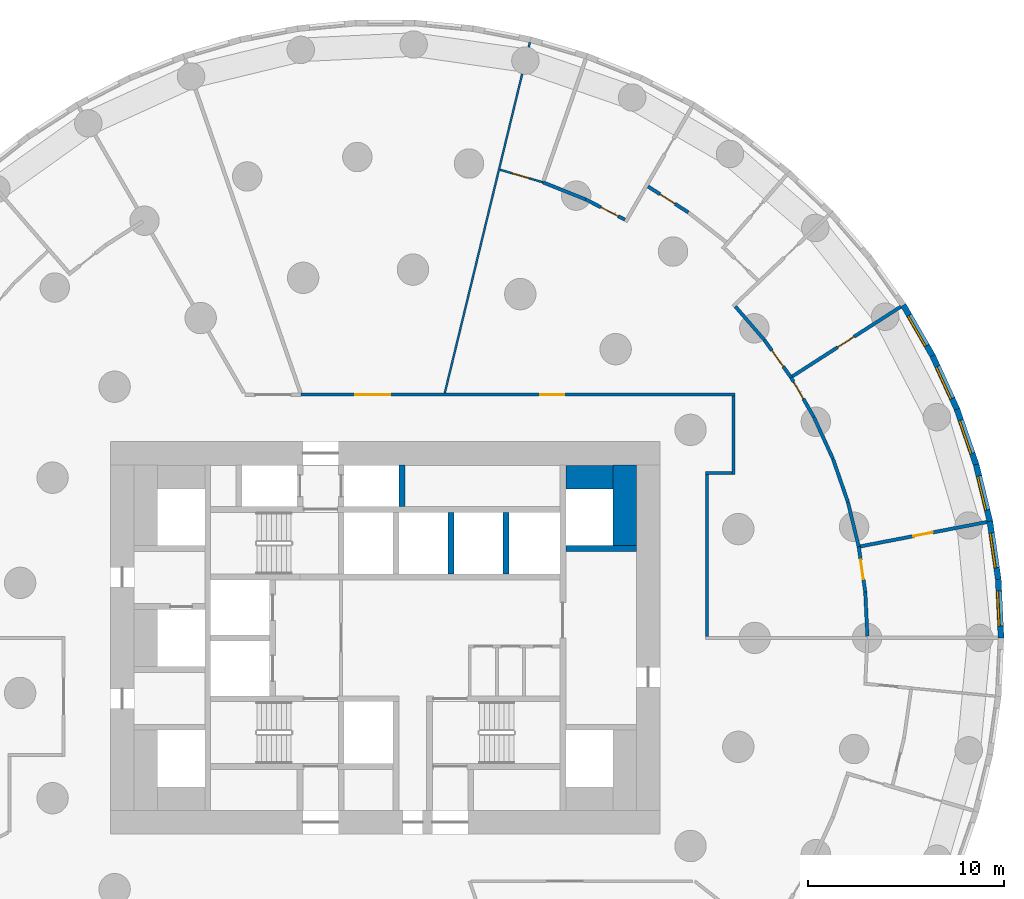
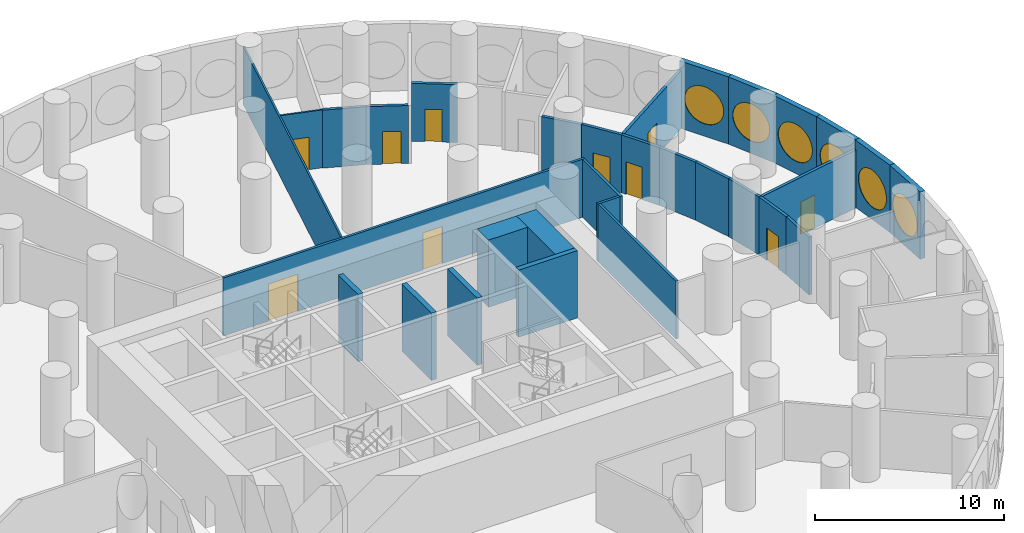
# One storey, part 8 of 12: 31 walls, 10 doors, 6 windows, 16 openings.
"""IFC4 building model written with IfcOpenShell, lengths in metres."""

from ifc_helpers import new_model, si_unit, direction, frame, frame_2d, origin, origin_2d, place, context, subcontext, project, spatial, rectangle, circle, extrude, material, layer, layer_set, type_object, element, fill, save


model = new_model("IFC4")

# Units and contexts
model_context = context("Model", 3, precision=1e-05, world=origin(), true_north=direction((0.0, 1.0)))
body_context = subcontext(model_context, "Body", "Model", "MODEL_VIEW")
ifc_project = project(units=[si_unit("LENGTHUNIT", "METRE"), si_unit("AREAUNIT", "SQUARE_METRE"), si_unit("VOLUMEUNIT", "CUBIC_METRE"), si_unit("PLANEANGLEUNIT", "RADIAN"), si_unit("MASSUNIT", "GRAM", prefix="KILO")], contexts=[model_context])

# Site, building, storey
site_placement = place(None, origin())
site = spatial("IfcSite", under=ifc_project, at=site_placement, CompositionType="ELEMENT")
building_placement = place(site_placement, origin())
building = spatial("IfcBuilding", under=site, at=building_placement, Name="Tracery Tower", CompositionType="ELEMENT")
storey_placement = place(building_placement, frame((0.0, 0.0, 13.800048828125)))
storey = spatial("IfcBuildingStorey", under=building, at=storey_placement, Name="L02", CompositionType="ELEMENT", Elevation=13.800048828125)

# Wall
ifc_material_1 = material(Name="Plasterboard on steel studs", Category="steel")
ifc_layer_1 = layer(ifc_material_1, 0.175048828125)
ifc_layer_set_1 = layer_set([ifc_layer_1], Name="Compartment partition 175")
wall_type_1 = type_object("IfcWallType", Name="Compartment partition 175", PredefinedType="PARTITIONING", material=ifc_layer_set_1)
wall_1_placement = place(storey_placement, frame((10.205322265625, 22.3466796875, 0.0), z_axis=(0.0, 0.0, 1.0), x_axis=(-0.92836862221, 0.371660734133, 0.0)))
element("IfcWall", 1, at=wall_1_placement, inside=storey, type_object=wall_type_1, Name="Compartment partition 175", PredefinedType="PARTITIONING", context=body_context, shape_type="SweptSolid", body=[
    extrude(rectangle(XDim=2.337890625, YDim=0.175048828125, at=frame_2d((1.1689453125, 0.0))), origin(), (0.0, 0.0, 1.0), 3.75),
])

# Wall, opening, door
wall_2_placement = place(storey_placement, frame((10.205322265625, 22.3466796875, 0.0), z_axis=(0.0, 0.0, 1.0), x_axis=(0.888825951512, -0.458244943145, 0.0)))
wall_2 = element("IfcWall", 2, at=wall_2_placement, inside=storey, type_object=wall_type_1, Name="Compartment partition 175", PredefinedType="PARTITIONING", context=body_context, shape_type="SweptSolid", body=[
    extrude(rectangle(XDim=2.25048828125, YDim=0.175048828125, at=frame_2d((1.125244140625, 0.0))), origin(), (0.0, 0.0, 1.0), 3.75),
])
opening_1_placement = place(wall_2_placement, frame((0.868896484375, 0.0, 0.0)))
opening_1 = element("IfcOpeningElement", 3, at=opening_1_placement, cuts=wall_2, Name="Opening SB-L02-07", PredefinedType="OPENING", context=body_context, shape_type="SweptSolid", body=[
    extrude(rectangle(XDim=1.0, YDim=2.10009765625, at=frame_2d((0.5, 1.050048828125))), frame((0.0, 0.08740234375, 0.0), z_axis=(0.0, -1.0, 0.0), x_axis=(1.0, 0.0, 0.0)), (0.0, 0.0, 1.0), 0.175048828125),
])
ifc_material_2 = material(Name="Steel fire door", Category="steel")
door_type_1 = type_object("IfcDoorType", Name="Kitchen door 1000", OperationType="NOTDEFINED", PredefinedType="DOOR", material=ifc_material_2)
door_1_placement = place(opening_1_placement, origin())
door_1 = element("IfcDoor", 4, at=door_1_placement, inside=storey, type_object=door_type_1, Name="Kitchen door 1000", OperationType="SINGLE_SWING_RIGHT", OverallHeight=2.10009765625, OverallWidth=1.0, PredefinedType="DOOR", context=body_context, shape_type="SweptSolid", body=[
    extrude(rectangle(XDim=1.0, YDim=2.10009765625, at=frame_2d((0.5, 1.050048828125))), frame((0.0, 0.02490234375, 0.0), z_axis=(0.0, -1.0, 0.0), x_axis=(1.0, 0.0, 0.0)), (0.0, 0.0, 1.0), 0.050048828125),
])
fill(opening_1, door_1)

wall_3_placement = place(storey_placement, frame((13.385009765625, 23.00439453125, 0.0), z_axis=(0.0, 0.0, 1.0), x_axis=(0.841217426126, -0.54069699646, 0.0)))
wall_3 = element("IfcWall", 5, at=wall_3_placement, inside=storey, type_object=wall_type_1, Name="Compartment partition 175", PredefinedType="PARTITIONING", context=body_context, shape_type="SweptSolid", body=[
    extrude(rectangle(XDim=2.443603515625, YDim=0.175048828125, at=frame_2d((1.2216796875, 0.0))), origin(), (0.0, 0.0, 1.0), 3.75),
])
opening_2_placement = place(wall_3_placement, frame((0.72705078125, 0.0, 0.0)))
opening_2 = element("IfcOpeningElement", 6, at=opening_2_placement, cuts=wall_3, Name="Opening SB-L02-06", PredefinedType="OPENING", context=body_context, shape_type="SweptSolid", body=[
    extrude(rectangle(XDim=0.89990234375, YDim=2.10009765625, at=frame_2d((0.449951171875, 1.050048828125))), frame((0.0, 0.08740234375, 0.0), z_axis=(0.0, -1.0, 0.0), x_axis=(1.0, 0.0, 0.0)), (0.0, 0.0, 1.0), 0.175048828125),
])
ifc_material_3 = material(Name="Steel fire door", Category="steel")
door_type_2 = type_object("IfcDoorType", Name="Store door 900", OperationType="NOTDEFINED", PredefinedType="DOOR", material=ifc_material_3)
door_2_placement = place(opening_2_placement, origin())
door_2 = element("IfcDoor", 7, at=door_2_placement, inside=storey, type_object=door_type_2, Name="Store door 900", OperationType="SINGLE_SWING_RIGHT", OverallHeight=2.10009765625, OverallWidth=0.89990234375, PredefinedType="DOOR", context=body_context, shape_type="SweptSolid", body=[
    extrude(rectangle(XDim=0.89990234375, YDim=2.10009765625, at=frame_2d((0.449951171875, 1.050048828125))), frame((0.0, 0.02490234375, 0.0), z_axis=(0.0, -1.0, 0.0), x_axis=(1.0, 0.0, 0.0)), (0.0, 0.0, 1.0), 0.050048828125),
])
fill(opening_2, door_2)

# Wall
wall_4_placement = place(storey_placement, frame((19.310791015625, 15.18603515625, 0.0), z_axis=(0.0, 0.0, 1.0), x_axis=(-0.654802497225, 0.755800032831, 0.0)))
element("IfcWall", 8, at=wall_4_placement, inside=storey, type_object=wall_type_1, Name="Compartment partition 175", PredefinedType="PARTITIONING", context=body_context, shape_type="SweptSolid", body=[
    extrude(rectangle(XDim=2.25048828125, YDim=0.175048828125, at=frame_2d((1.125244140625, 0.0))), origin(), (0.0, 0.0, 1.0), 3.75),
])

# Wall, opening, door
wall_5_placement = place(storey_placement, frame((19.310791015625, 15.18603515625, 0.0), z_axis=(0.0, 0.0, 1.0), x_axis=(0.580032319147, -0.814593462252, 0.0)))
wall_5 = element("IfcWall", 9, at=wall_5_placement, inside=storey, type_object=wall_type_1, Name="Compartment partition 175", PredefinedType="PARTITIONING", context=body_context, shape_type="SweptSolid", body=[
    extrude(rectangle(XDim=2.337646484375, YDim=0.175048828125, at=frame_2d((1.1689453125, 0.0))), origin(), (0.0, 0.0, 1.0), 3.75),
])
opening_3_placement = place(wall_5_placement, frame((0.6689453125, 0.0, 0.0)))
opening_3 = element("IfcOpeningElement", 10, at=opening_3_placement, cuts=wall_5, Name="Opening SB-L02-04", PredefinedType="OPENING", context=body_context, shape_type="SweptSolid", body=[
    extrude(rectangle(XDim=1.0, YDim=2.10009765625, at=frame_2d((0.5, 1.050048828125))), frame((0.0, 0.08740234375, 0.0), z_axis=(0.0, -1.0, 0.0), x_axis=(1.0, 0.0, 0.0)), (0.0, 0.0, 1.0), 0.175048828125),
])
door_3_placement = place(opening_3_placement, origin())
door_3 = element("IfcDoor", 11, at=door_3_placement, inside=storey, type_object=door_type_1, Name="Kitchen door 1000", OperationType="SINGLE_SWING_RIGHT", OverallHeight=2.10009765625, OverallWidth=1.0, PredefinedType="DOOR", context=body_context, shape_type="SweptSolid", body=[
    extrude(rectangle(XDim=1.0, YDim=2.10009765625, at=frame_2d((0.5, 1.050048828125))), frame((0.0, 0.02490234375, 0.0), z_axis=(0.0, -1.0, 0.0), x_axis=(1.0, 0.0, 0.0)), (0.0, 0.0, 1.0), 0.050048828125),
])
fill(opening_3, door_3)

wall_6_placement = place(storey_placement, frame((20.666748046875, 13.28173828125, 0.0), z_axis=(0.0, 0.0, 1.0), x_axis=(0.500002679963, -0.866023856502, 0.0)))
wall_6 = element("IfcWall", 12, at=wall_6_placement, inside=storey, type_object=wall_type_1, Name="Compartment partition 175", PredefinedType="PARTITIONING", context=body_context, shape_type="SweptSolid", body=[
    extrude(rectangle(XDim=2.337890625, YDim=0.175048828125, at=frame_2d((1.1689453125, 0.0))), origin(), (0.0, 0.0, 1.0), 3.75),
])
opening_4_placement = place(wall_6_placement, frame((0.26904296875, 0.0, 0.0)))
opening_4 = element("IfcOpeningElement", 13, at=opening_4_placement, cuts=wall_6, Name="Opening SB-L02-03", PredefinedType="OPENING", context=body_context, shape_type="SweptSolid", body=[
    extrude(rectangle(XDim=1.0, YDim=2.10009765625, at=frame_2d((0.5, 1.050048828125))), frame((0.0, 0.08740234375, 0.0), z_axis=(0.0, -1.0, 0.0), x_axis=(1.0, 0.0, 0.0)), (0.0, 0.0, 1.0), 0.175048828125),
])
door_4_placement = place(opening_4_placement, origin())
door_4 = element("IfcDoor", 14, at=door_4_placement, inside=storey, type_object=door_type_1, Name="Kitchen door 1000", OperationType="SINGLE_SWING_RIGHT", OverallHeight=2.10009765625, OverallWidth=1.0, PredefinedType="DOOR", context=body_context, shape_type="SweptSolid", body=[
    extrude(rectangle(XDim=1.0, YDim=2.10009765625, at=frame_2d((0.5, 1.050048828125))), frame((0.0, 0.02490234375, 0.0), z_axis=(0.0, -1.0, 0.0), x_axis=(1.0, 0.0, 0.0)), (0.0, 0.0, 1.0), 0.050048828125),
])
fill(opening_4, door_4)

# Walls
wall_7_placement = place(storey_placement, frame((22.806884765625, 9.130615234375, 0.0), z_axis=(0.0, 0.0, 1.0), x_axis=(-0.415438886862, 0.909621092149, 0.0)))
element("IfcWall", 15, at=wall_7_placement, inside=storey, type_object=wall_type_1, Name="Compartment partition 175", PredefinedType="PARTITIONING", context=body_context, shape_type="SweptSolid", body=[
    extrude(rectangle(XDim=2.337646484375, YDim=0.175048828125, at=frame_2d((1.1689453125, 0.0))), origin(), (0.0, 0.0, 1.0), 3.75),
])
wall_8_placement = place(storey_placement, frame((23.571533203125, 6.921142578125, 0.0), z_axis=(0.0, 0.0, 1.0), x_axis=(-0.327046007052, 0.945008417566, 0.0)))
element("IfcWall", 16, at=wall_8_placement, inside=storey, type_object=wall_type_1, Name="Compartment partition 175", PredefinedType="PARTITIONING", context=body_context, shape_type="SweptSolid", body=[
    extrude(rectangle(XDim=2.338134765625, YDim=0.175048828125, at=frame_2d((1.1689453125, 0.0))), origin(), (0.0, 0.0, 1.0), 3.75),
])
wall_9_placement = place(storey_placement, frame((24.122802734375, 4.6494140625, 0.0), z_axis=(0.0, 0.0, 1.0), x_axis=(-0.235821214509, 0.971796457489, 0.0)))
element("IfcWall", 17, at=wall_9_placement, inside=storey, type_object=wall_type_1, Name="Compartment partition 175", PredefinedType="PARTITIONING", context=body_context, shape_type="SweptSolid", body=[
    extrude(rectangle(XDim=2.337646484375, YDim=0.175048828125, at=frame_2d((1.1689453125, 0.0))), origin(), (0.0, 0.0, 1.0), 3.75),
])

# Wall, opening, door
wall_10_placement = place(storey_placement, frame((24.122802734375, 4.6494140625, 0.0), z_axis=(0.0, 0.0, 1.0), x_axis=(0.142327683086, -0.989819594991, 0.0)))
wall_10 = element("IfcWall", 18, at=wall_10_placement, inside=storey, type_object=wall_type_1, Name="Compartment partition 175", PredefinedType="PARTITIONING", context=body_context, shape_type="SweptSolid", body=[
    extrude(rectangle(XDim=2.337890625, YDim=0.175048828125, at=frame_2d((1.1689453125, 0.0))), origin(), (0.0, 0.0, 1.0), 3.75),
])
opening_5_placement = place(wall_10_placement, frame((0.6689453125, 0.0, 0.0)))
opening_5 = element("IfcOpeningElement", 19, at=opening_5_placement, cuts=wall_10, Name="Opening SB-L02-02", PredefinedType="OPENING", context=body_context, shape_type="SweptSolid", body=[
    extrude(rectangle(XDim=1.0, YDim=2.10009765625, at=frame_2d((0.5, 1.050048828125))), frame((0.0, 0.08740234375, 0.0), z_axis=(0.0, -1.0, 0.0), x_axis=(1.0, 0.0, 0.0)), (0.0, 0.0, 1.0), 0.175048828125),
])
door_5_placement = place(opening_5_placement, origin())
door_5 = element("IfcDoor", 20, at=door_5_placement, inside=storey, type_object=door_type_1, Name="Kitchen door 1000", OperationType="SINGLE_SWING_RIGHT", OverallHeight=2.10009765625, OverallWidth=1.0, PredefinedType="DOOR", context=body_context, shape_type="SweptSolid", body=[
    extrude(rectangle(XDim=1.0, YDim=2.10009765625, at=frame_2d((0.5, 1.050048828125))), frame((0.0, 0.02490234375, 0.0), z_axis=(0.0, -1.0, 0.0), x_axis=(1.0, 0.0, 0.0)), (0.0, 0.0, 1.0), 0.050048828125),
])
fill(opening_5, door_5)

# Wall
wall_11_placement = place(storey_placement, frame((24.5625, 0.08740234375, 0.0), z_axis=(0.0, 0.0, 1.0), x_axis=(-0.047518758708, 0.998870345726, 0.0)))
element("IfcWall", 21, at=wall_11_placement, inside=storey, type_object=wall_type_1, Name="Compartment partition 175", PredefinedType="PARTITIONING", context=body_context, shape_type="SweptSolid", body=[
    extrude(rectangle(XDim=2.250244140625, YDim=0.175048828125, at=frame_2d((1.125, 0.0))), origin(), (0.0, 0.0, 1.0), 3.75),
])

# Wall, opening, door
wall_12_placement = place(storey_placement, frame((20.740478515625, 13.3291015625, 0.0), z_axis=(0.0, 0.0, 1.0), x_axis=(0.841256944445, 0.540635508844, 0.0)))
wall_12 = element("IfcWall", 22, at=wall_12_placement, inside=storey, type_object=wall_type_1, Name="Compartment partition 175", PredefinedType="PARTITIONING", context=body_context, shape_type="SweptSolid", body=[
    extrude(rectangle(XDim=6.570068359375, YDim=0.175048828125, at=frame_2d((3.28515625, 0.0))), origin(), (0.0, 0.0, 1.0), 3.75),
])
opening_6_placement = place(wall_12_placement, frame((2.7412109375, 0.0, 0.0)))
opening_6 = element("IfcOpeningElement", 23, at=opening_6_placement, cuts=wall_12, Name="Opening SB-L02-10", PredefinedType="OPENING", context=body_context, shape_type="SweptSolid", body=[
    extrude(rectangle(XDim=1.0, YDim=2.10009765625, at=frame_2d((0.5, 1.050048828125))), frame((0.0, 0.08740234375, 0.0), z_axis=(0.0, -1.0, 0.0), x_axis=(1.0, 0.0, 0.0)), (0.0, 0.0, 1.0), 0.175048828125),
])
door_6_placement = place(opening_6_placement, origin())
door_6 = element("IfcDoor", 24, at=door_6_placement, inside=storey, type_object=door_type_1, Name="Kitchen door 1000", OperationType="SINGLE_SWING_RIGHT", OverallHeight=2.10009765625, OverallWidth=1.0, PredefinedType="DOOR", context=body_context, shape_type="SweptSolid", body=[
    extrude(rectangle(XDim=1.0, YDim=2.10009765625, at=frame_2d((0.5, 1.050048828125))), frame((0.0, 0.02490234375, 0.0), z_axis=(0.0, -1.0, 0.0), x_axis=(1.0, 0.0, 0.0)), (0.0, 0.0, 1.0), 0.050048828125),
])
fill(opening_6, door_6)

wall_13_placement = place(storey_placement, frame((30.659912109375, 5.9091796875, 0.0), z_axis=(0.0, 0.0, 1.0), x_axis=(-0.981934280486, -0.189222273548, 0.0)))
wall_13 = element("IfcWall", 25, at=wall_13_placement, inside=storey, type_object=wall_type_1, Name="Compartment partition 175", PredefinedType="PARTITIONING", context=body_context, shape_type="SweptSolid", body=[
    extrude(rectangle(XDim=6.56982421875, YDim=0.175048828125, at=frame_2d((3.284912109375, 0.0))), origin(), (0.0, 0.0, 1.0), 3.75),
])
opening_7_placement = place(wall_13_placement, frame((2.828857421875, 0.0, 0.0)))
opening_7 = element("IfcOpeningElement", 26, at=opening_7_placement, cuts=wall_13, Name="Opening SB-L02-09", PredefinedType="OPENING", context=body_context, shape_type="SweptSolid", body=[
    extrude(rectangle(XDim=1.0, YDim=2.10009765625, at=frame_2d((0.5, 1.050048828125))), frame((0.0, 0.08740234375, 0.0), z_axis=(0.0, -1.0, 0.0), x_axis=(1.0, 0.0, 0.0)), (0.0, 0.0, 1.0), 0.175048828125),
])
door_7_placement = place(opening_7_placement, origin())
door_7 = element("IfcDoor", 27, at=door_7_placement, inside=storey, type_object=door_type_1, Name="Kitchen door 1000", OperationType="SINGLE_SWING_LEFT", OverallHeight=2.10009765625, OverallWidth=1.0, PredefinedType="DOOR", context=body_context, shape_type="SweptSolid", body=[
    extrude(rectangle(XDim=1.0, YDim=2.10009765625, at=frame_2d((0.5, 1.050048828125))), frame((0.0, 0.02490234375, 0.0), z_axis=(0.0, -1.0, 0.0), x_axis=(1.0, 0.0, 0.0)), (0.0, 0.0, 1.0), 0.050048828125),
])
fill(opening_7, door_7)

# Walls
ifc_material_4 = material(Name="Concrete C60/75", Category="concrete")
ifc_layer_2 = layer(ifc_material_4, 1.199951171875)
ifc_layer_set_2 = layer_set([ifc_layer_2], Name="Core strip wall 1200 C60")
wall_type_2 = type_object("IfcWallType", Name="Core strip wall 1200 C60", PredefinedType="SOLIDWALL", material=ifc_layer_set_2)
wall_14_placement = place(storey_placement, frame((12.199951171875, 4.699951171875, 0.0), z_axis=(0.0, 0.0, 1.0), x_axis=(0.0, 1.0, 0.0)))
element("IfcWall", 28, at=wall_14_placement, inside=storey, type_object=wall_type_2, Name="L02 wing strip +1 4.55", PredefinedType="SOLIDWALL", context=body_context, shape_type="SweptSolid", body=[
    extrude(rectangle(XDim=4.10009765625, YDim=1.199951171875, at=frame_2d((2.050048828125, 0.0))), origin(), (0.0, 0.0, 1.0), 4.349853515625),
])
wall_15_placement = place(storey_placement, frame((9.199951171875, 8.199951171875, 0.0), z_axis=(0.0, 0.0, 1.0), x_axis=(1.0, 0.0, 0.0)))
element("IfcWall", 29, at=wall_15_placement, inside=storey, type_object=wall_type_2, Name="L02 wing corner +1 +8.2", PredefinedType="SOLIDWALL", context=body_context, shape_type="SweptSolid", body=[
    extrude(rectangle(XDim=2.400146484375, YDim=1.199951171875, at=frame_2d((1.2001953125, 0.0))), origin(), (0.0, 0.0, 1.0), 4.349853515625),
])
ifc_material_5 = material(Name="Plasterboard on steel studs", Category="steel")
ifc_layer_3 = layer(ifc_material_5, 0.14990234375)
ifc_layer_set_3 = layer_set([ifc_layer_3], Name="Corridor partition 150")
wall_type_3 = type_object("IfcWallType", Name="Corridor partition 150", PredefinedType="PARTITIONING", material=ifc_layer_set_3)
wall_16_placement = place(storey_placement, frame((16.39990234375, 0.074951171875, 0.0), z_axis=(0.0, 0.0, 1.0), x_axis=(0.0, 1.0, 0.0)))
element("IfcWall", 30, at=wall_16_placement, inside=storey, type_object=wall_type_3, Name="Corridor partition 150", PredefinedType="PARTITIONING", context=body_context, shape_type="SweptSolid", body=[
    extrude(rectangle(XDim=8.2529296875, YDim=0.14990234375, at=frame_2d((4.12646484375, 0.0))), origin(), (0.0, 0.0, 1.0), 3.75),
])
wall_17_placement = place(storey_placement, frame((16.324951171875, 8.40283203125, 0.0), z_axis=(0.0, 0.0, 1.0), x_axis=(1.0, 0.0, 0.0)))
element("IfcWall", 31, at=wall_17_placement, inside=storey, type_object=wall_type_3, Name="Corridor partition 150", PredefinedType="PARTITIONING", context=body_context, shape_type="SweptSolid", body=[
    extrude(rectangle(XDim=1.3515625, YDim=0.14990234375, at=frame_2d((0.67578125, 0.0))), origin(), (0.0, 0.0, 1.0), 3.75),
])
wall_18_placement = place(storey_placement, frame((17.751708984375, 8.327880859375, 0.0), z_axis=(0.0, 0.0, 1.0), x_axis=(0.0, 1.0, 0.0)))
element("IfcWall", 32, at=wall_18_placement, inside=storey, type_object=wall_type_3, Name="Corridor partition 150", PredefinedType="PARTITIONING", context=body_context, shape_type="SweptSolid", body=[
    extrude(rectangle(XDim=3.9970703125, YDim=0.14990234375, at=frame_2d((1.99853515625, 0.0))), origin(), (0.0, 0.0, 1.0), 3.75),
])

# Wall, openings, doors
wall_19_placement = place(storey_placement, frame((-4.291748046875, 12.39990234375, 0.0), z_axis=(0.0, 0.0, 1.0), x_axis=(1.0, 0.0, 0.0)))
wall_19 = element("IfcWall", 33, at=wall_19_placement, inside=storey, type_object=wall_type_3, Name="Corridor partition 150", PredefinedType="PARTITIONING", context=body_context, shape_type="SweptSolid", body=[
    extrude(rectangle(XDim=22.118408203125, YDim=0.14990234375, at=frame_2d((11.05908203125, 0.0))), origin(), (0.0, 0.0, 1.0), 3.75),
])
opening_8_placement = place(wall_19_placement, frame((12.19580078125, 0.0, 0.0)))
opening_8 = element("IfcOpeningElement", 34, at=opening_8_placement, cuts=wall_19, Name="Opening SB-L02-01", PredefinedType="OPENING", context=body_context, shape_type="SweptSolid", body=[
    extrude(rectangle(XDim=1.199951171875, YDim=2.39990234375, at=frame_2d((0.60009765625, 1.199951171875))), frame((0.0, 0.074951171875, 0.0), z_axis=(0.0, -1.0, 0.0), x_axis=(1.0, 0.0, 0.0)), (0.0, 0.0, 1.0), 0.14990234375),
])
opening_9_placement = place(wall_19_placement, frame((2.75, 0.0, 0.0)))
opening_9 = element("IfcOpeningElement", 35, at=opening_9_placement, cuts=wall_19, Name="Opening SB-L02-14", PredefinedType="OPENING", context=body_context, shape_type="SweptSolid", body=[
    extrude(rectangle(XDim=1.800048828125, YDim=2.39990234375, at=frame_2d((0.89990234375, 1.199951171875))), frame((0.0, 0.074951171875, 0.0), z_axis=(0.0, -1.0, 0.0), x_axis=(1.0, 0.0, 0.0)), (0.0, 0.0, 1.0), 0.14990234375),
])
ifc_material_6 = material(Name="Glazed aluminium door", Category="aluminium")
door_type_3 = type_object("IfcDoorType", Name="Glazed hall door 1200", OperationType="DOUBLE_DOOR_SINGLE_SWING", PredefinedType="DOOR", material=ifc_material_6)
door_8_placement = place(opening_8_placement, origin())
door_8 = element("IfcDoor", 36, at=door_8_placement, inside=storey, type_object=door_type_3, Name="Glazed hall door 1200", OperationType="DOUBLE_DOOR_SINGLE_SWING", OverallHeight=2.39990234375, OverallWidth=1.199951171875, PredefinedType="DOOR", context=body_context, shape_type="SweptSolid", body=[
    extrude(rectangle(XDim=1.199951171875, YDim=2.39990234375, at=frame_2d((0.60009765625, 1.199951171875))), frame((0.0, 0.02490234375, 0.0), z_axis=(0.0, -1.0, 0.0), x_axis=(1.0, 0.0, 0.0)), (0.0, 0.0, 1.0), 0.050048828125),
])
fill(opening_8, door_8)
ifc_material_7 = material(Name="Glazed aluminium door", Category="aluminium")
door_type_4 = type_object("IfcDoorType", Name="Hall double door 1800", OperationType="DOUBLE_DOOR_SINGLE_SWING", PredefinedType="DOOR", material=ifc_material_7)
door_9_placement = place(opening_9_placement, origin())
door_9 = element("IfcDoor", 37, at=door_9_placement, inside=storey, type_object=door_type_4, Name="Hall double door 1800", OperationType="DOUBLE_DOOR_SINGLE_SWING", OverallHeight=2.39990234375, OverallWidth=1.800048828125, PredefinedType="DOOR", context=body_context, shape_type="SweptSolid", body=[
    extrude(rectangle(XDim=1.800048828125, YDim=2.39990234375, at=frame_2d((0.89990234375, 1.199951171875))), frame((0.0, 0.02490234375, 0.0), z_axis=(0.0, -1.0, 0.0), x_axis=(1.0, 0.0, 0.0)), (0.0, 0.0, 1.0), 0.050048828125),
])
fill(opening_9, door_9)

# Wall, opening, window
ifc_material_8 = material(Name="Precast concrete C50/60", Category="concrete")
ifc_layer_4 = layer(ifc_material_8, 0.300048828125)
ifc_layer_set_4 = layer_set([ifc_layer_4], Name="Facade panel 3000 x 4350")
wall_type_4 = type_object("IfcWallType", Name="Facade panel 3000 x 4350", PredefinedType="SOLIDWALL", material=ifc_layer_set_4)
wall_20_placement = place(storey_placement, frame((31.37451171875, 0.0, 0.0), z_axis=(0.0, 0.0, 1.0), x_axis=(-0.047588458579, 0.998867027492, 0.0)))
wall_20 = element("IfcWall", 38, at=wall_20_placement, inside=storey, type_object=wall_type_4, Name="Facade panel 1 at L02", PredefinedType="SOLIDWALL", context=body_context, shape_type="SweptSolid", body=[
    extrude(rectangle(XDim=2.98583984375, YDim=0.300048828125, at=frame_2d((1.492919921875, 0.0))), origin(), (0.0, 0.0, 1.0), 4.349853515625),
])
opening_10_placement = place(wall_20_placement, frame((1.492919921875, 0.0, 2.0)))
opening_10 = element("IfcOpeningElement", 39, at=opening_10_placement, cuts=wall_20, Name="Opening WN2", PredefinedType="OPENING", context=body_context, shape_type="SweptSolid", body=[
    extrude(circle(Radius=1.199951171875, at=origin_2d()), frame((0.0, 0.159912109375, 0.0), z_axis=(0.0, -1.0, 0.0), x_axis=(1.0, 0.0, 0.0)), (0.0, 0.0, 1.0), 0.320068359375),
])
ifc_material_9 = material(Name="Aluminium frame with tinted double glazing", Category="aluminium")
window_type = type_object("IfcWindowType", Name="Round window 2400", PartitioningType="SINGLE_PANEL", PredefinedType="WINDOW", material=ifc_material_9)
window_1_placement = place(opening_10_placement, origin())
window_1 = element("IfcWindow", 40, at=window_1_placement, inside=storey, type_object=window_type, Name="Round window 1 at L02", OverallHeight=2.39990234375, OverallWidth=2.39990234375, PartitioningType="SINGLE_PANEL", PredefinedType="WINDOW", context=body_context, shape_type="SweptSolid", body=[
    extrude(circle(Radius=1.199951171875, at=origin_2d()), frame((0.0, 0.1201171875, 0.0), z_axis=(0.0, -1.0, 0.0), x_axis=(1.0, 0.0, 0.0)), (0.0, 0.0, 1.0), 0.10009765625),
])
fill(opening_10, window_1)

wall_21_placement = place(storey_placement, frame((31.232421875, 2.982421875, 0.0), z_axis=(0.0, 0.0, 1.0), x_axis=(-0.142360001917, 0.989814947278, 0.0)))
wall_21 = element("IfcWall", 41, at=wall_21_placement, inside=storey, type_object=wall_type_4, Name="Facade panel 2 at L02", PredefinedType="SOLIDWALL", context=body_context, shape_type="SweptSolid", body=[
    extrude(rectangle(XDim=2.98583984375, YDim=0.300048828125, at=frame_2d((1.492919921875, 0.0))), origin(), (0.0, 0.0, 1.0), 4.349853515625),
])
opening_11_placement = place(wall_21_placement, frame((1.492919921875, 0.0, 2.0)))
opening_11 = element("IfcOpeningElement", 42, at=opening_11_placement, cuts=wall_21, Name="Opening WN2", PredefinedType="OPENING", context=body_context, shape_type="SweptSolid", body=[
    extrude(circle(Radius=1.199951171875, at=origin_2d()), frame((0.0, 0.159912109375, 0.0), z_axis=(0.0, -1.0, 0.0), x_axis=(1.0, 0.0, 0.0)), (0.0, 0.0, 1.0), 0.320068359375),
])
window_2_placement = place(opening_11_placement, origin())
window_2 = element("IfcWindow", 43, at=window_2_placement, inside=storey, type_object=window_type, Name="Round window 2 at L02", OverallHeight=2.39990234375, OverallWidth=2.39990234375, PartitioningType="SINGLE_PANEL", PredefinedType="WINDOW", context=body_context, shape_type="SweptSolid", body=[
    extrude(circle(Radius=1.199951171875, at=origin_2d()), frame((0.0, 0.1201171875, 0.0), z_axis=(0.0, -1.0, 0.0), x_axis=(1.0, 0.0, 0.0)), (0.0, 0.0, 1.0), 0.10009765625),
])
fill(opening_11, window_2)

wall_22_placement = place(storey_placement, frame((30.807373046875, 5.937744140625, 0.0), z_axis=(0.0, 0.0, 1.0), x_axis=(-0.235756834479, 0.971812078026, 0.0)))
wall_22 = element("IfcWall", 44, at=wall_22_placement, inside=storey, type_object=wall_type_4, Name="Facade panel 3 at L02", PredefinedType="SOLIDWALL", context=body_context, shape_type="SweptSolid", body=[
    extrude(rectangle(XDim=2.985595703125, YDim=0.300048828125, at=frame_2d((1.49267578125, 0.0))), origin(), (0.0, 0.0, 1.0), 4.349853515625),
])
opening_12_placement = place(wall_22_placement, frame((1.492919921875, 0.0, 2.0)))
opening_12 = element("IfcOpeningElement", 45, at=opening_12_placement, cuts=wall_22, Name="Opening WN2", PredefinedType="OPENING", context=body_context, shape_type="SweptSolid", body=[
    extrude(circle(Radius=1.199951171875, at=origin_2d()), frame((0.0, 0.159912109375, 0.0), z_axis=(0.0, -1.0, 0.0), x_axis=(1.0, 0.0, 0.0)), (0.0, 0.0, 1.0), 0.320068359375),
])
window_3_placement = place(opening_12_placement, origin())
window_3 = element("IfcWindow", 46, at=window_3_placement, inside=storey, type_object=window_type, Name="Round window 3 at L02", OverallHeight=2.39990234375, OverallWidth=2.39990234375, PartitioningType="SINGLE_PANEL", PredefinedType="WINDOW", context=body_context, shape_type="SweptSolid", body=[
    extrude(circle(Radius=1.199951171875, at=origin_2d()), frame((0.0, 0.1201171875, 0.0), z_axis=(0.0, -1.0, 0.0), x_axis=(1.0, 0.0, 0.0)), (0.0, 0.0, 1.0), 0.10009765625),
])
fill(opening_12, window_3)

wall_23_placement = place(storey_placement, frame((30.103515625, 8.839111328125, 0.0), z_axis=(0.0, 0.0, 1.0), x_axis=(-0.327074054052, 0.944998710669, 0.0)))
wall_23 = element("IfcWall", 47, at=wall_23_placement, inside=storey, type_object=wall_type_4, Name="Facade panel 4 at L02", PredefinedType="SOLIDWALL", context=body_context, shape_type="SweptSolid", body=[
    extrude(rectangle(XDim=2.98583984375, YDim=0.300048828125, at=frame_2d((1.492919921875, 0.0))), origin(), (0.0, 0.0, 1.0), 4.349853515625),
])
opening_13_placement = place(wall_23_placement, frame((1.492919921875, 0.0, 2.0)))
opening_13 = element("IfcOpeningElement", 48, at=opening_13_placement, cuts=wall_23, Name="Opening WN2", PredefinedType="OPENING", context=body_context, shape_type="SweptSolid", body=[
    extrude(circle(Radius=1.199951171875, at=origin_2d()), frame((0.0, 0.159912109375, 0.0), z_axis=(0.0, -1.0, 0.0), x_axis=(1.0, 0.0, 0.0)), (0.0, 0.0, 1.0), 0.320068359375),
])
window_4_placement = place(opening_13_placement, origin())
window_4 = element("IfcWindow", 49, at=window_4_placement, inside=storey, type_object=window_type, Name="Round window 4 at L02", OverallHeight=2.39990234375, OverallWidth=2.39990234375, PartitioningType="SINGLE_PANEL", PredefinedType="WINDOW", context=body_context, shape_type="SweptSolid", body=[
    extrude(circle(Radius=1.199951171875, at=origin_2d()), frame((0.0, 0.1201171875, 0.0), z_axis=(0.0, -1.0, 0.0), x_axis=(1.0, 0.0, 0.0)), (0.0, 0.0, 1.0), 0.10009765625),
])
fill(opening_13, window_4)

wall_24_placement = place(storey_placement, frame((29.126953125, 11.66064453125, 0.0), z_axis=(0.0, 0.0, 1.0), x_axis=(-0.415373250944, 0.909651066289, 0.0)))
wall_24 = element("IfcWall", 50, at=wall_24_placement, inside=storey, type_object=wall_type_4, Name="Facade panel 5 at L02", PredefinedType="SOLIDWALL", context=body_context, shape_type="SweptSolid", body=[
    extrude(rectangle(XDim=2.98583984375, YDim=0.300048828125, at=frame_2d((1.492919921875, 0.0))), origin(), (0.0, 0.0, 1.0), 4.349853515625),
])
opening_14_placement = place(wall_24_placement, frame((1.492919921875, 0.0, 2.0)))
opening_14 = element("IfcOpeningElement", 51, at=opening_14_placement, cuts=wall_24, Name="Opening WN2", PredefinedType="OPENING", context=body_context, shape_type="SweptSolid", body=[
    extrude(circle(Radius=1.199951171875, at=origin_2d()), frame((0.0, 0.159912109375, 0.0), z_axis=(0.0, -1.0, 0.0), x_axis=(1.0, 0.0, 0.0)), (0.0, 0.0, 1.0), 0.320068359375),
])
window_5_placement = place(opening_14_placement, origin())
window_5 = element("IfcWindow", 52, at=window_5_placement, inside=storey, type_object=window_type, Name="Round window 5 at L02", OverallHeight=2.39990234375, OverallWidth=2.39990234375, PartitioningType="SINGLE_PANEL", PredefinedType="WINDOW", context=body_context, shape_type="SweptSolid", body=[
    extrude(circle(Radius=1.199951171875, at=origin_2d()), frame((0.0, 0.1201171875, 0.0), z_axis=(0.0, -1.0, 0.0), x_axis=(1.0, 0.0, 0.0)), (0.0, 0.0, 1.0), 0.10009765625),
])
fill(opening_14, window_5)

wall_25_placement = place(storey_placement, frame((27.88671875, 14.376708984375, 0.0), z_axis=(0.0, 0.0, 1.0), x_axis=(-0.500017373705, 0.866015372839, 0.0)))
wall_25 = element("IfcWall", 53, at=wall_25_placement, inside=storey, type_object=wall_type_4, Name="Facade panel 6 at L02", PredefinedType="SOLIDWALL", context=body_context, shape_type="SweptSolid", body=[
    extrude(rectangle(XDim=2.98583984375, YDim=0.300048828125, at=frame_2d((1.492919921875, 0.0))), origin(), (0.0, 0.0, 1.0), 4.349853515625),
])
opening_15_placement = place(wall_25_placement, frame((1.492919921875, 0.0, 2.0)))
opening_15 = element("IfcOpeningElement", 54, at=opening_15_placement, cuts=wall_25, Name="Opening WN2", PredefinedType="OPENING", context=body_context, shape_type="SweptSolid", body=[
    extrude(circle(Radius=1.199951171875, at=origin_2d()), frame((0.0, 0.159912109375, 0.0), z_axis=(0.0, -1.0, 0.0), x_axis=(1.0, 0.0, 0.0)), (0.0, 0.0, 1.0), 0.320068359375),
])
window_6_placement = place(opening_15_placement, origin())
window_6 = element("IfcWindow", 55, at=window_6_placement, inside=storey, type_object=window_type, Name="Round window 6 at L02", OverallHeight=2.39990234375, OverallWidth=2.39990234375, PartitioningType="SINGLE_PANEL", PredefinedType="WINDOW", context=body_context, shape_type="SweptSolid", body=[
    extrude(circle(Radius=1.199951171875, at=origin_2d()), frame((0.0, 0.1201171875, 0.0), z_axis=(0.0, -1.0, 0.0), x_axis=(1.0, 0.0, 0.0)), (0.0, 0.0, 1.0), 0.10009765625),
])
fill(opening_15, window_6)

# Walls
ifc_material_10 = material(Name="Concrete C60/75", Category="concrete")
ifc_layer_5 = layer(ifc_material_10, 0.300048828125)
ifc_layer_set_5 = layer_set([ifc_layer_5], Name="Shaft wall 300 C60")
wall_type_5 = type_object("IfcWallType", Name="Shaft wall 300 C60", PredefinedType="SOLIDWALL", material=ifc_layer_set_5)
for number, where, z_axis, x_axis, name in (
    (56, (3.35009765625, 3.25, 0.0), (0.0, 0.0, 1.0), (0.0, 1.0, 0.0), "L02 HR sep 2"),
    (57, (6.14990234375, 3.25, 0.0), (0.0, 0.0, 1.0), (0.0, 1.0, 0.0), "L02 HR sep 3"),
):
    element("IfcWall", number, at=place(storey_placement, frame(where, z_axis=z_axis, x_axis=x_axis)), inside=storey, type_object=wall_type_5, Name=name, PredefinedType="SOLIDWALL", context=body_context, shape_type="SweptSolid", body=[
        extrude(rectangle(XDim=3.14990234375, YDim=0.300048828125, at=frame_2d((1.574951171875, 0.0))), origin(), (0.0, 0.0, 1.0), 4.349853515625),
    ])
wall_26_placement = place(storey_placement, frame((0.85009765625, 6.699951171875, 0.0), z_axis=(0.0, 0.0, 1.0), x_axis=(0.0, 1.0, 0.0)))
element("IfcWall", 58, at=wall_26_placement, inside=storey, type_object=wall_type_5, Name="L02 LR sep 0.85", PredefinedType="SOLIDWALL", context=body_context, shape_type="SweptSolid", body=[
    extrude(rectangle(XDim=2.10009765625, YDim=0.300048828125, at=frame_2d((1.050048828125, 0.0))), origin(), (0.0, 0.0, 1.0), 4.349853515625),
])
wall_27_placement = place(storey_placement, frame((9.199951171875, 4.550048828125, 0.0), z_axis=(0.0, 0.0, 1.0), x_axis=(1.0, 0.0, 0.0)))
element("IfcWall", 59, at=wall_27_placement, inside=storey, type_object=wall_type_5, Name="L02 wing shaft wall +1 +4.55", PredefinedType="SOLIDWALL", context=body_context, shape_type="SweptSolid", body=[
    extrude(rectangle(XDim=3.60009765625, YDim=0.300048828125, at=frame_2d((1.800048828125, 0.0))), origin(), (0.0, 0.0, 1.0), 4.349853515625),
])
ifc_material_11 = material(Name="Plasterboard on steel studs", Category="steel")
ifc_layer_6 = layer(ifc_material_11, 0.10009765625)
ifc_layer_set_6 = layer_set([ifc_layer_6], Name="Stud partition 100")
wall_type_6 = type_object("IfcWallType", Name="Stud partition 100", PredefinedType="PARTITIONING", material=ifc_layer_set_6)
wall_28_placement = place(storey_placement, frame((7.361328125, 30.343994140625, 0.0), z_axis=(0.0, 0.0, 1.0), x_axis=(-0.235757403407, -0.971811940006, 0.0)))
element("IfcWall", 60, at=wall_28_placement, inside=storey, type_object=wall_type_6, Name="Stud partition 100", PredefinedType="PARTITIONING", context=body_context, shape_type="SweptSolid", body=[
    extrude(rectangle(XDim=18.381103515625, YDim=0.10009765625, at=frame_2d((9.1904296875, 0.0))), origin(), (0.0, 0.0, 1.0), 3.75),
])

# Wall, opening, door
wall_29_placement = place(storey_placement, frame((5.841064453125, 23.85986328125, 0.0), z_axis=(0.0, 0.0, 1.0), x_axis=(0.959479339295, -0.281778986913, 0.0)))
wall_29 = element("IfcWall", 61, at=wall_29_placement, inside=storey, type_object=wall_type_6, Name="Stud partition 100", PredefinedType="PARTITIONING", context=body_context, shape_type="SweptSolid", body=[
    extrude(rectangle(XDim=2.286376953125, YDim=0.10009765625, at=frame_2d((1.14306640625, 0.0))), origin(), (0.0, 0.0, 1.0), 3.75),
])
opening_16_placement = place(wall_29_placement, frame((0.667724609375, 0.0, 0.0)))
opening_16 = element("IfcOpeningElement", 62, at=opening_16_placement, cuts=wall_29, Name="Opening SB-L02-08", PredefinedType="OPENING", context=body_context, shape_type="SweptSolid", body=[
    extrude(rectangle(XDim=0.89990234375, YDim=2.10009765625, at=frame_2d((0.449951171875, 1.050048828125))), frame((0.0, 0.050048828125, 0.0), z_axis=(0.0, -1.0, 0.0), x_axis=(1.0, 0.0, 0.0)), (0.0, 0.0, 1.0), 0.10009765625),
])
ifc_material_12 = material(Name="Timber door leaf", Category="wood")
door_type_5 = type_object("IfcDoorType", Name="Room door 900", OperationType="NOTDEFINED", PredefinedType="DOOR", material=ifc_material_12)
door_10_placement = place(opening_16_placement, origin())
door_10 = element("IfcDoor", 63, at=door_10_placement, inside=storey, type_object=door_type_5, Name="Room door 900", OperationType="SINGLE_SWING_RIGHT", OverallHeight=2.10009765625, OverallWidth=0.89990234375, PredefinedType="DOOR", context=body_context, shape_type="SweptSolid", body=[
    extrude(rectangle(XDim=0.89990234375, YDim=2.10009765625, at=frame_2d((0.449951171875, 1.050048828125))), frame((0.0, 0.02490234375, 0.0), z_axis=(0.0, -1.0, 0.0), x_axis=(1.0, 0.0, 0.0)), (0.0, 0.0, 1.0), 0.050048828125),
])
fill(opening_16, door_10)

save(model, "model.ifc")
